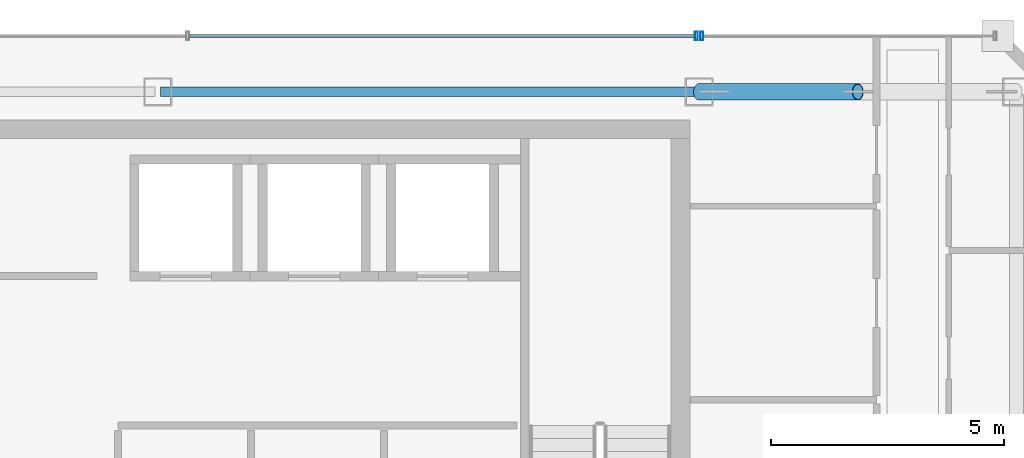
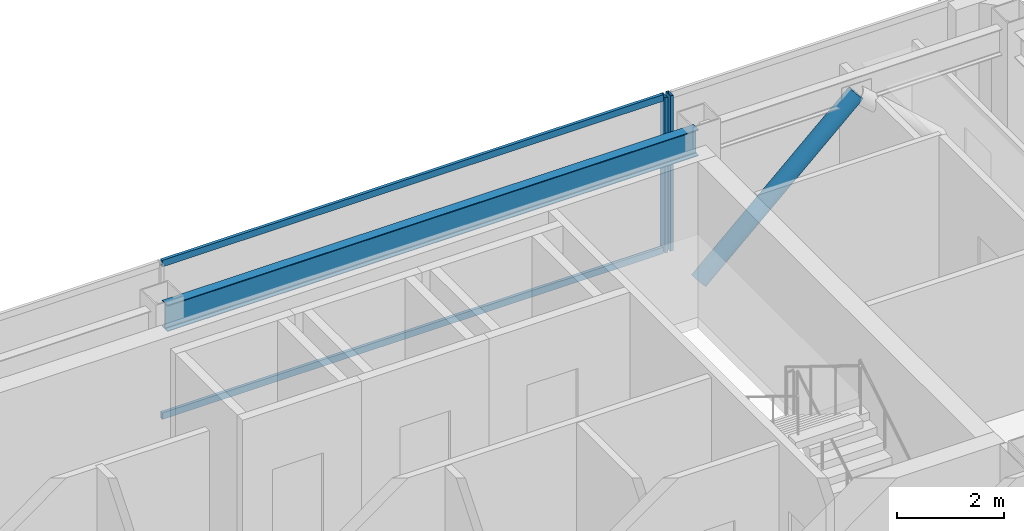
# One storey, part 11 of 20: 5 members, 1 beam, 2 elements without a shape of their own.
"""IFC4 building model written with IfcOpenShell, lengths in metres."""

from ifc_helpers import new_model, si_unit, direction, frame, origin, origin_2d, place, context, subcontext, project, spatial, hollow_rectangle, hollow_circle, i_section, extrude, material, material_profile, profile_set, type_object, element, aggregate, save


model = new_model("IFC4")

# Units and contexts
model_context = context("Model", 3, precision=1e-05, world=origin(), true_north=direction((0.0, 1.0)))
body_context = subcontext(model_context, "Body", "Model", "MODEL_VIEW")
ifc_project = project(units=[si_unit("LENGTHUNIT", "METRE"), si_unit("AREAUNIT", "SQUARE_METRE"), si_unit("VOLUMEUNIT", "CUBIC_METRE"), si_unit("PLANEANGLEUNIT", "RADIAN"), si_unit("MASSUNIT", "GRAM", prefix="KILO")], contexts=[model_context])

# Site, building, storey
site_placement = place(None, origin())
site = spatial("IfcSite", under=ifc_project, at=site_placement, CompositionType="ELEMENT")
building_placement = place(site_placement, origin())
building = spatial("IfcBuilding", under=site, at=building_placement, Name="Saevonmaru Cultural Tower", CompositionType="ELEMENT")
storey_placement = place(building_placement, frame((0.0, 0.0, 295.199951171875)))
storey = spatial("IfcBuildingStorey", under=building, at=storey_placement, Name="L70", CompositionType="ELEMENT", Elevation=295.199951171875)

# Beam
ifc_material_1 = material(Name="Steel SM355", Category="steel")
ifc_material_profile_1 = material_profile(ifc_material_1, i_section(OverallWidth=0.199951171875, OverallDepth=0.60009765625, WebThickness=0.010986328125, FlangeThickness=0.01708984375, FilletRadius=0.02197265625, at=origin_2d()), Name="H-600x200x11x17")
ifc_profile_set_1 = profile_set([ifc_material_profile_1], Name="Steel SM355")
beam_type = type_object("IfcBeamType", Name="BM-SP-H600", PredefinedType="SPANDREL", material=ifc_profile_set_1)
beam_placement = place(storey_placement, frame((34.860107421875, 54.800048828125, 3.25), z_axis=(1.0, 0.0, 0.0), x_axis=(0.0, 1.0, 0.0)))
element("IfcBeam", 1, at=beam_placement, inside=storey, type_object=beam_type, Name="L70 North Spine Girder 4", PredefinedType="SPANDREL", context=body_context, shape_type="SweptSolid", body=[
    extrude(i_section(OverallWidth=0.199951171875, OverallDepth=0.60009765625, WebThickness=0.010986328125, FlangeThickness=0.01708984375, FilletRadius=0.02197265625, at=origin_2d()), origin(), (0.0, 0.0, 1.0), 11.47998046875),
])

# Member
ifc_material_profile_2 = material_profile(ifc_material_1, hollow_circle(Radius=0.177734375, WallThickness=0.01611328125, at=origin_2d()), Name="CHS-355.6x16")
ifc_profile_set_2 = profile_set([ifc_material_profile_2], Name="Steel SM355")
member_type_1 = type_object("IfcMemberType", Name="MB-PBR-CHS356", PredefinedType="BRACE", material=ifc_profile_set_2)
member_1_placement = place(storey_placement, frame((46.39990234375, 54.800048828125, 0.02001953125), z_axis=(0.738959728749, 0.0, 0.673749596873), x_axis=(0.0, 1.0, 0.0)))
element("IfcMember", 2, at=member_1_placement, inside=storey, type_object=member_type_1, Name="L70 Perimeter Braced-Tube Diagonal EN1", PredefinedType="BRACE", context=body_context, shape_type="SweptSolid", body=[
    extrude(hollow_circle(Radius=0.177734375, WallThickness=0.01611328125, at=origin_2d()), origin(), (0.0, 0.0, 1.0), 4.601318359375),
])

# Curtain wall, member
ifc_material_2 = material(Name="Satin Bronze Anodised Aluminium", Category="aluminium")
curtain_wall_type = type_object("IfcCurtainWallType", Name="CW-TYP-B", PredefinedType="NOTDEFINED", material=ifc_material_2)
curtain_wall_1_placement = place(storey_placement, origin())
curtain_wall_1 = element("IfcCurtainWall", 3, at=curtain_wall_1_placement, inside=storey, type_object=curtain_wall_type, Name="L70 East Braced Bay Spandrel Curtain Wall E10A", PredefinedType="NOTDEFINED")
ifc_material_profile_3 = material_profile(ifc_material_2, hollow_rectangle(XDim=0.06494140625, YDim=0.179931640625, WallThickness=0.00390625, at=origin_2d()), Name="ALU-MULL-180x65x4")
ifc_profile_set_3 = profile_set([ifc_material_profile_3], Name="Satin Bronze Anodised Aluminium")
member_type_2 = type_object("IfcMemberType", Name="ML-CW-180x65", PredefinedType="MULLION", material=ifc_profile_set_3)
member_2_placement = place(storey_placement, frame((46.4599609375, 56.0, 0.0), z_axis=(0.0, 0.0, 1.0), x_axis=(-1.0, 0.0, 0.0)))
member_2 = element("IfcMember", 4, at=member_2_placement, type_object=member_type_2, Name="CW-TW-L70-E10A mullion 2", PredefinedType="MULLION", context=body_context, shape_type="SweptSolid", body=[
    extrude(hollow_rectangle(XDim=0.06494140625, YDim=0.179931640625, WallThickness=0.00390625, at=origin_2d()), origin(), (0.0, 0.0, 1.0), 3.550048828125),
])
aggregate(curtain_wall_1, [member_2])

# Curtain wall, members
curtain_wall_2_placement = place(storey_placement, origin())
curtain_wall_2 = element("IfcCurtainWall", 5, at=curtain_wall_2_placement, inside=storey, type_object=curtain_wall_type, Name="L70 North Spine Unitised Curtain Wall E10B", PredefinedType="NOTDEFINED")
member_3_placement = place(storey_placement, frame((46.340087890625, 56.0, 0.0), z_axis=(0.0, 0.0, 1.0), x_axis=(-1.0, 0.0, 0.0)))
member_3 = element("IfcMember", 6, at=member_3_placement, type_object=member_type_2, Name="CW-TW-L70-E10B mullion 1", PredefinedType="MULLION", context=body_context, shape_type="SweptSolid", body=[
    extrude(hollow_rectangle(XDim=0.06494140625, YDim=0.179931640625, WallThickness=0.00390625, at=origin_2d()), origin(), (0.0, 0.0, 1.0), 3.550048828125),
])
ifc_material_profile_4 = material_profile(ifc_material_2, hollow_rectangle(XDim=0.06494140625, YDim=0.14990234375, WallThickness=0.00390625, at=origin_2d()), Name="ALU-TRAN-150x65x4")
ifc_profile_set_4 = profile_set([ifc_material_profile_4], Name="Satin Bronze Anodised Aluminium")
member_type_3 = type_object("IfcMemberType", Name="TR-CW-150x65", PredefinedType="USERDEFINED", material=ifc_profile_set_4)
member_4_placement = place(storey_placement, frame((46.3076171875, 56.0, 0.032470703125), z_axis=(-1.0, 0.0, 0.0), x_axis=(0.0, -1.0, 0.0)))
member_4 = element("IfcMember", 7, at=member_4_placement, type_object=member_type_3, Name="CW-TW-L70-E10B transom 1.1", ObjectType="TRANSOM", PredefinedType="USERDEFINED", context=body_context, shape_type="SweptSolid", body=[
    extrude(hollow_rectangle(XDim=0.06494140625, YDim=0.14990234375, WallThickness=0.00390625, at=origin_2d()), origin(), (0.0, 0.0, 1.0), 10.828369140625),
])
member_5_placement = place(storey_placement, frame((46.3076171875, 56.0, 3.517578125), z_axis=(-1.0, 0.0, 0.0), x_axis=(0.0, -1.0, 0.0)))
member_5 = element("IfcMember", 8, at=member_5_placement, type_object=member_type_3, Name="CW-TW-L70-E10B transom 1.2", ObjectType="TRANSOM", PredefinedType="USERDEFINED", context=body_context, shape_type="SweptSolid", body=[
    extrude(hollow_rectangle(XDim=0.06494140625, YDim=0.14990234375, WallThickness=0.00390625, at=origin_2d()), origin(), (0.0, 0.0, 1.0), 10.828369140625),
])
aggregate(curtain_wall_2, [member_3, member_4, member_5])

save(model, "model.ifc")
